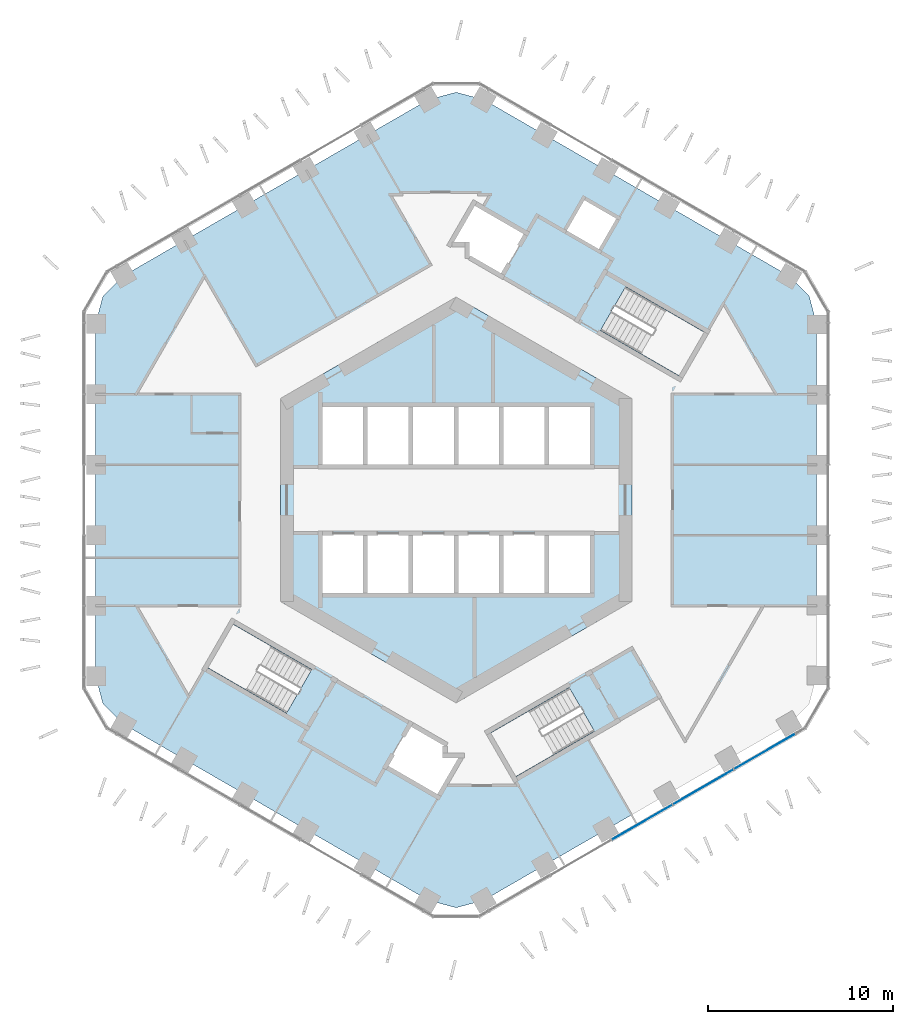
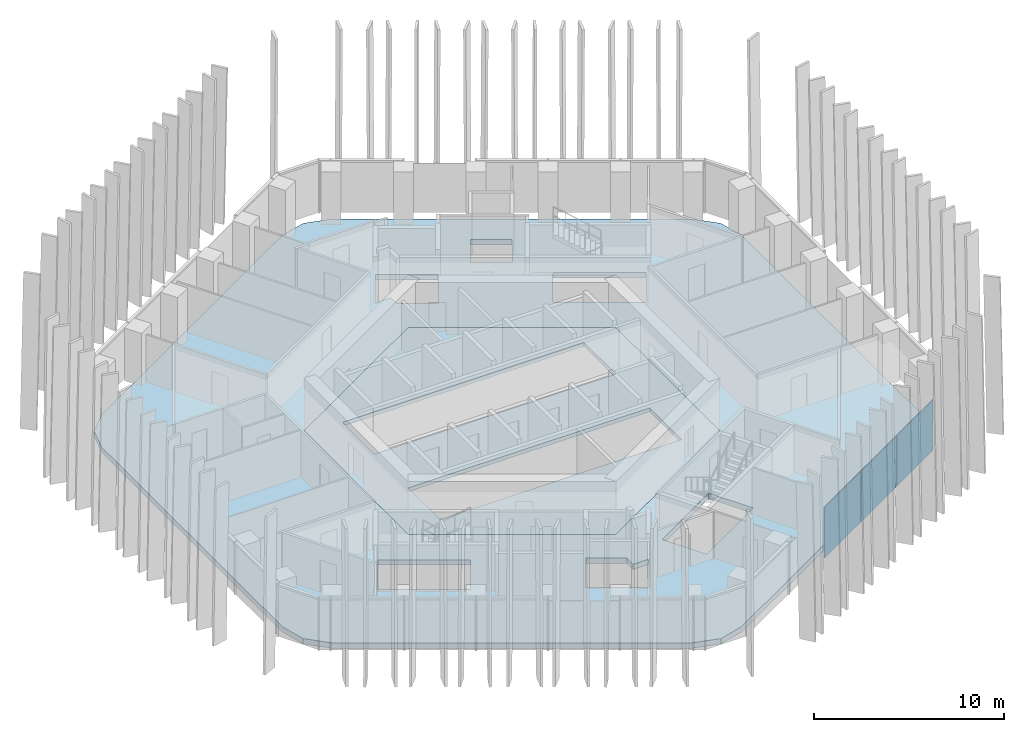
# One storey, part 9 of 18: 3 plates, 2 slabs, 1 element without a shape of its own.
"""IFC4 building model written with IfcOpenShell, lengths in metres."""

from ifc_helpers import new_model, si_unit, direction, frame, origin, origin_2d, place, context, subcontext, project, spatial, polyline, rectangle, outline, extrude, material, layer, layer_set, type_object, element, aggregate, save


model = new_model("IFC4")

# Units and contexts
model_context = context("Model", 3, precision=1e-05, world=origin(), true_north=direction((0.0, 1.0)))
body_context = subcontext(model_context, "Body", "Model", "MODEL_VIEW")
ifc_project = project(units=[si_unit("LENGTHUNIT", "METRE"), si_unit("AREAUNIT", "SQUARE_METRE"), si_unit("VOLUMEUNIT", "CUBIC_METRE"), si_unit("PLANEANGLEUNIT", "RADIAN"), si_unit("MASSUNIT", "GRAM", prefix="KILO")], contexts=[model_context])

# Site, building, storey
site_placement = place(None, origin())
site = spatial("IfcSite", under=ifc_project, at=site_placement, CompositionType="ELEMENT")
building_placement = place(site_placement, origin())
building = spatial("IfcBuilding", under=site, at=building_placement, Name="Ayvan Gate Tower", CompositionType="ELEMENT")
storey_placement = place(building_placement, frame((0.0, 0.0, 83.10009765625)))
storey = spatial("IfcBuildingStorey", under=building, at=storey_placement, Name="L21", CompositionType="ELEMENT", Elevation=83.10009765625)

# Slabs
ifc_material_1 = material(Name="Concrete C40/50", Category="concrete")
ifc_layer_1 = layer(ifc_material_1, 0.35009765625)
ifc_layer_set_1 = layer_set([ifc_layer_1], Name="Concrete C40/50")
slab_type_1 = type_object("IfcSlabType", Name="Post-tensioned flat slab 350", PredefinedType="FLOOR", material=ifc_layer_set_1)
slab_1_placement = place(storey_placement, frame((0.0, 0.0, -0.35009765625)))
element("IfcSlab", 1, at=slab_1_placement, inside=storey, type_object=slab_type_1, Name="SL-L21", PredefinedType="FLOOR", context=body_context, shape_type="SweptSolid", body=[
    extrude(outline(polyline([(0.0, -22.035888671875), (-1.5, -21.634033203125), (-17.985595703125, -12.115966796875), (-19.083740234375, -11.01806640625), (-19.485595703125, -9.51806640625), (-19.485595703125, 9.51806640625), (-19.083740234375, 11.01806640625), (-17.985595703125, 12.115966796875), (-1.5, 21.634033203125), (0.0, 22.035888671875), (1.5, 21.634033203125), (17.985595703125, 12.115966796875), (19.083740234375, 11.01806640625), (19.485595703125, 9.51806640625), (19.485595703125, -9.51806640625), (19.083740234375, -11.01806640625), (17.985595703125, -12.115966796875), (1.5, -21.634033203125), (0.0, -22.035888671875)]), holes=[polyline([(13.404541015625, 9.0673828125), (9.1611328125, 11.517578125), (7.80615234375, 9.170654296875), (12.049560546875, 6.720458984375), (13.404541015625, 9.0673828125)]), polyline([(0.0, 10.9697265625), (-9.5, 5.48486328125), (-9.5, -5.48486328125), (0.0, -10.9697265625), (9.5, -5.48486328125), (9.5, 5.48486328125), (0.0, 10.9697265625)]), polyline([(5.8447265625, 14.5234375), (7.75, 13.42333984375), (8.800048828125, 15.241943359375), (6.894775390625, 16.342041015625), (5.8447265625, 14.5234375)]), polyline([(3.228759765625, -14.9423828125), (7.472412109375, -12.492431640625), (6.117431640625, -10.1455078125), (1.873779296875, -12.595458984375), (3.228759765625, -14.9423828125)]), polyline([(2.472412109375, 12.08251953125), (3.822509765625, 14.420654296875), (0.964599609375, 16.07080078125), (-0.340576171875, 13.81005859375), (0.60009765625, 13.81005859375), (0.60009765625, 13.16357421875), (2.472412109375, 12.08251953125)]), polyline([(0.340576171875, -13.81005859375), (-0.60009765625, -13.81005859375), (-0.60009765625, -13.16357421875), (-2.472412109375, -12.08251953125), (-3.822509765625, -14.420654296875), (-0.964599609375, -16.07080078125), (-0.59814453125, -15.435791015625), (0.340576171875, -13.81005859375)]), polyline([(-7.80615234375, -9.170654296875), (-12.049560546875, -6.720458984375), (-13.404541015625, -9.0673828125), (-9.1611328125, -11.517578125), (-7.80615234375, -9.170654296875)])]), origin(), (0.0, 0.0, 1.0), 0.35009765625),
])
ifc_layer_2 = layer(ifc_material_1, 0.25)
ifc_layer_set_2 = layer_set([ifc_layer_2], Name="Concrete C40/50")
slab_type_2 = type_object("IfcSlabType", Name="SL-CORE-250", PredefinedType="FLOOR", material=ifc_layer_set_2)
slab_2_placement = place(storey_placement, frame((0.0, 0.0, -0.25)))
element("IfcSlab", 2, at=slab_2_placement, inside=storey, type_object=slab_type_2, Name="CS-L21", PredefinedType="FLOOR", context=body_context, shape_type="SweptSolid", body=[
    extrude(outline(polyline([(9.5, -5.48486328125), (0.0, -10.9697265625), (-9.5, -5.48486328125), (-9.5, 5.48486328125), (0.0, 10.9697265625), (9.5, 5.48486328125), (9.5, -5.48486328125)]), holes=[polyline([(-7.35009765625, -1.800048828125), (-7.35009765625, -5.14990234375), (7.35009765625, -5.14990234375), (7.35009765625, -1.800048828125), (-7.35009765625, -1.800048828125)]), polyline([(-7.35009765625, 5.14990234375), (-7.35009765625, 1.800048828125), (7.35009765625, 1.800048828125), (7.35009765625, 5.14990234375), (-7.35009765625, 5.14990234375)])]), origin(), (0.0, 0.0, 1.0), 0.25),
])

# Curtain wall, plates
ifc_material_2 = material(Name="Bronze anodised aluminium", Category="aluminium")
ifc_layer_3 = layer(ifc_material_2, 0.199951171875)
ifc_layer_set_3 = layer_set([ifc_layer_3], Name="Bronze anodised aluminium")
curtain_wall_type = type_object("IfcCurtainWallType", Name="Stick curtain wall CW-1", PredefinedType="NOTDEFINED", material=ifc_layer_set_3)
curtain_wall_placement = place(storey_placement, origin())
curtain_wall = element("IfcCurtainWall", 3, at=curtain_wall_placement, inside=storey, type_object=curtain_wall_type, Name="Stick curtain wall CW-1 L21", PredefinedType="NOTDEFINED")
ifc_material_3 = material(Name="Clear low-iron laminated glass", Category="glass")
ifc_layer_4 = layer(ifc_material_3, 0.028076171875)
ifc_layer_set_4 = layer_set([ifc_layer_4], Name="Clear low-iron laminated glass")
plate_type = type_object("IfcPlateType", Name="Stick curtain wall CW-1 glass panel", PredefinedType="CURTAIN_PANEL", material=ifc_layer_set_4)
plate_1_placement = place(storey_placement, frame((10.05517578125, -17.41650390625, 0.0), z_axis=(0.0, 0.0, 1.0), x_axis=(0.866025403784, 0.5, 0.0)))
plate_1 = element("IfcPlate", 4, at=plate_1_placement, type_object=plate_type, Name="CW-1 glass panel 3", PredefinedType="CURTAIN_PANEL", context=body_context, shape_type="SweptSolid", body=[
    extrude(rectangle(XDim=3.75390625, YDim=0.028076171875, at=origin_2d()), origin(), (0.0, 0.0, 1.0), 3.280029296875),
])
plate_2_placement = place(storey_placement, frame((13.358154296875, -15.50927734375, 0.0), z_axis=(0.0, 0.0, 1.0), x_axis=(0.866025403784, 0.5, 0.0)))
plate_2 = element("IfcPlate", 5, at=plate_2_placement, type_object=plate_type, Name="CW-1 glass panel 4", PredefinedType="CURTAIN_PANEL", context=body_context, shape_type="SweptSolid", body=[
    extrude(rectangle(XDim=3.75390625, YDim=0.028076171875, at=origin_2d()), origin(), (0.0, 0.0, 1.0), 3.280029296875),
])
plate_3_placement = place(storey_placement, frame((16.689453125, -13.5859375, 0.0), z_axis=(0.0, 0.0, 1.0), x_axis=(0.866025403784, 0.5, 0.0)))
plate_3 = element("IfcPlate", 6, at=plate_3_placement, type_object=plate_type, Name="CW-1 glass panel 5", PredefinedType="CURTAIN_PANEL", context=body_context, shape_type="SweptSolid", body=[
    extrude(rectangle(XDim=3.819580078125, YDim=0.028076171875, at=origin_2d()), origin(), (0.0, 0.0, 1.0), 3.280029296875),
])
aggregate(curtain_wall, [plate_1, plate_2, plate_3])

save(model, "model.ifc")
